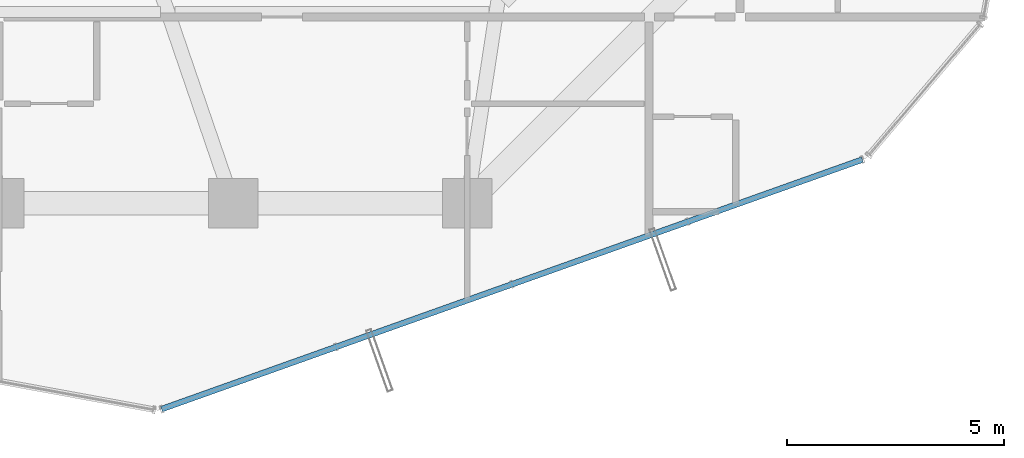
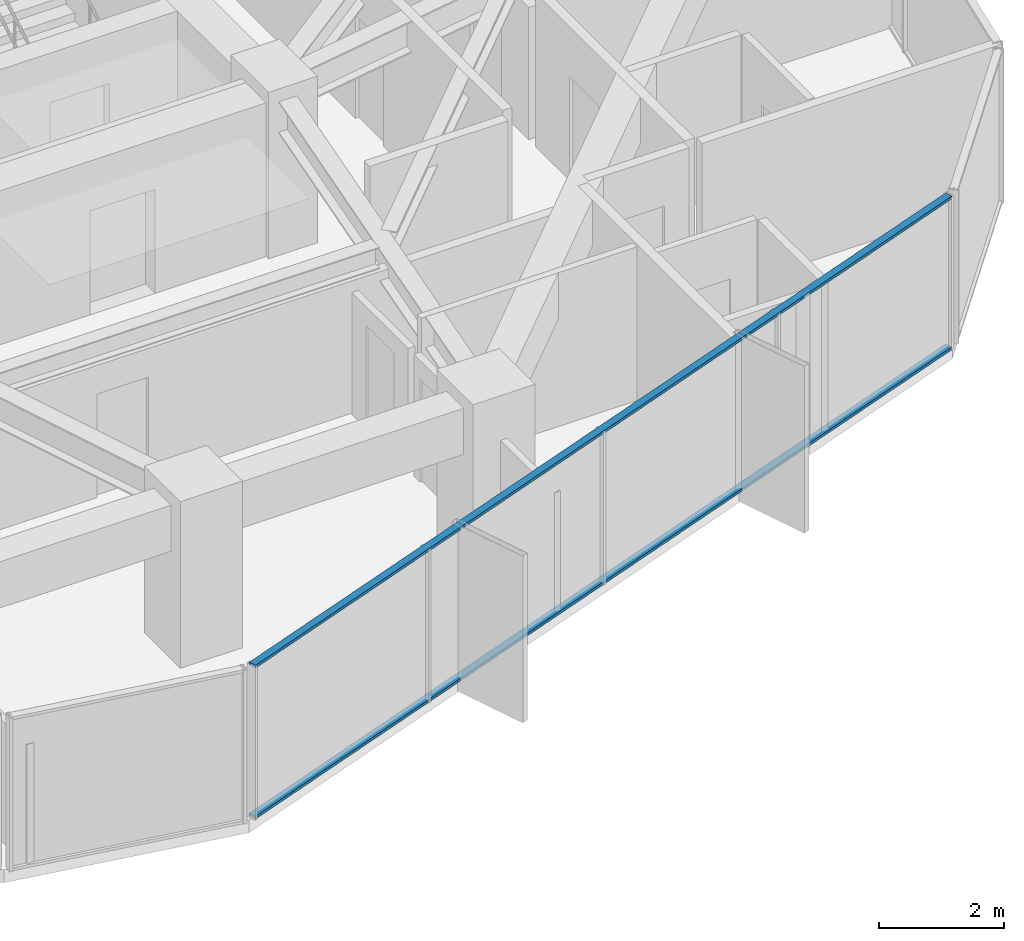
# One storey, part 8 of 33: 2 members, 1 element without a shape of its own.
"""IFC4 building model written with IfcOpenShell, lengths in metres."""

from ifc_helpers import new_model, si_unit, direction, frame, origin, origin_2d, place, context, subcontext, project, spatial, hollow_rectangle, extrude, source, transform, mapped, material, layer, layer_set, material_profile, profile_set, type_object, element, aggregate, save


model = new_model("IFC4")

# Units and contexts
model_context = context("Model", 3, precision=1e-05, world=origin(), true_north=direction((0.0, 1.0)))
body_context = subcontext(model_context, "Body", "Model", "MODEL_VIEW")
ifc_project = project(units=[si_unit("LENGTHUNIT", "METRE"), si_unit("AREAUNIT", "SQUARE_METRE"), si_unit("VOLUMEUNIT", "CUBIC_METRE"), si_unit("PLANEANGLEUNIT", "RADIAN"), si_unit("MASSUNIT", "GRAM", prefix="KILO")], contexts=[model_context])

# Site, building, storey
site_placement = place(None, origin())
site = spatial("IfcSite", under=ifc_project, at=site_placement, CompositionType="ELEMENT")
building_placement = place(site_placement, origin())
building = spatial("IfcBuilding", under=site, at=building_placement, Name="Veraguas Prism Commons", CompositionType="ELEMENT")
storey_placement = place(building_placement, frame((0.0, 0.0, 92.699951171875)))
storey = spatial("IfcBuildingStorey", under=building, at=storey_placement, Name="L25", CompositionType="ELEMENT", Elevation=92.699951171875)

# Curtain wall, members
ifc_material = material(Name="Anodised aluminium EN AW-6063 T6", Category="aluminium")
ifc_layer = layer(ifc_material, 0.169921875, Name="Unitised Flush Curtain Wall Zone 2", Category="aluminium")
ifc_layer_set = layer_set([ifc_layer], Name="Anodised aluminium EN AW-6063 T6")
curtain_wall_type = type_object("IfcCurtainWallType", Name="Unitised Flush Curtain Wall Zone 2", PredefinedType="NOTDEFINED", material=ifc_layer_set)
curtain_wall_placement = place(storey_placement, origin())
curtain_wall = element("IfcCurtainWall", 1, at=curtain_wall_placement, inside=storey, type_object=curtain_wall_type, Name="Tower Facade Curtain Wall L25-F5", PredefinedType="NOTDEFINED")
ifc_material_profile = material_profile(ifc_material, hollow_rectangle(XDim=0.054931640625, YDim=0.135009765625, WallThickness=0.0029296875, at=origin_2d()), Name="AL55X135X3")
ifc_profile_set = profile_set([ifc_material_profile], Name="Anodised aluminium EN AW-6063 T6")
member_type = type_object("IfcMemberType", Name="Curtain Wall Transom Standard AL 55x135x3", PredefinedType="USERDEFINED", material=ifc_profile_set)
shared_shape = source(origin(), body_context, "Body", "SweptSolid", [
    extrude(hollow_rectangle(XDim=0.054931640625, YDim=0.135009765625, WallThickness=0.0029296875, at=origin_2d()), origin(), (0.0, 0.0, 1.0), 17.17431640625),
])
member_1_placement = place(storey_placement, frame((22.34521484375, 3.04833984375, 0.027587890625), z_axis=(0.942056040116, 0.335455536965, 0.0), x_axis=(0.0, 0.0, 1.0)))
member_1 = element("IfcMember", 2, at=member_1_placement, type_object=member_type, Name="CW-Z2 Transom 1", ObjectType="TRANSOM", PredefinedType="USERDEFINED", context=body_context, shape_type="MappedRepresentation", body=[
    mapped(shared_shape, transform((0.0, 0.0, 0.0), scale=1.0)),
])
member_2_placement = place(storey_placement, frame((22.34521484375, 3.04833984375, 2.97265625), z_axis=(0.942056040116, 0.335455536965, 0.0), x_axis=(0.0, 0.0, 1.0)))
member_2 = element("IfcMember", 3, at=member_2_placement, type_object=member_type, Name="CW-Z2 Transom 2", ObjectType="TRANSOM", PredefinedType="USERDEFINED", context=body_context, shape_type="MappedRepresentation", body=[
    mapped(shared_shape, transform((0.0, 0.0, 0.0), scale=1.0)),
])
aggregate(curtain_wall, [member_1, member_2])

save(model, "model.ifc")
